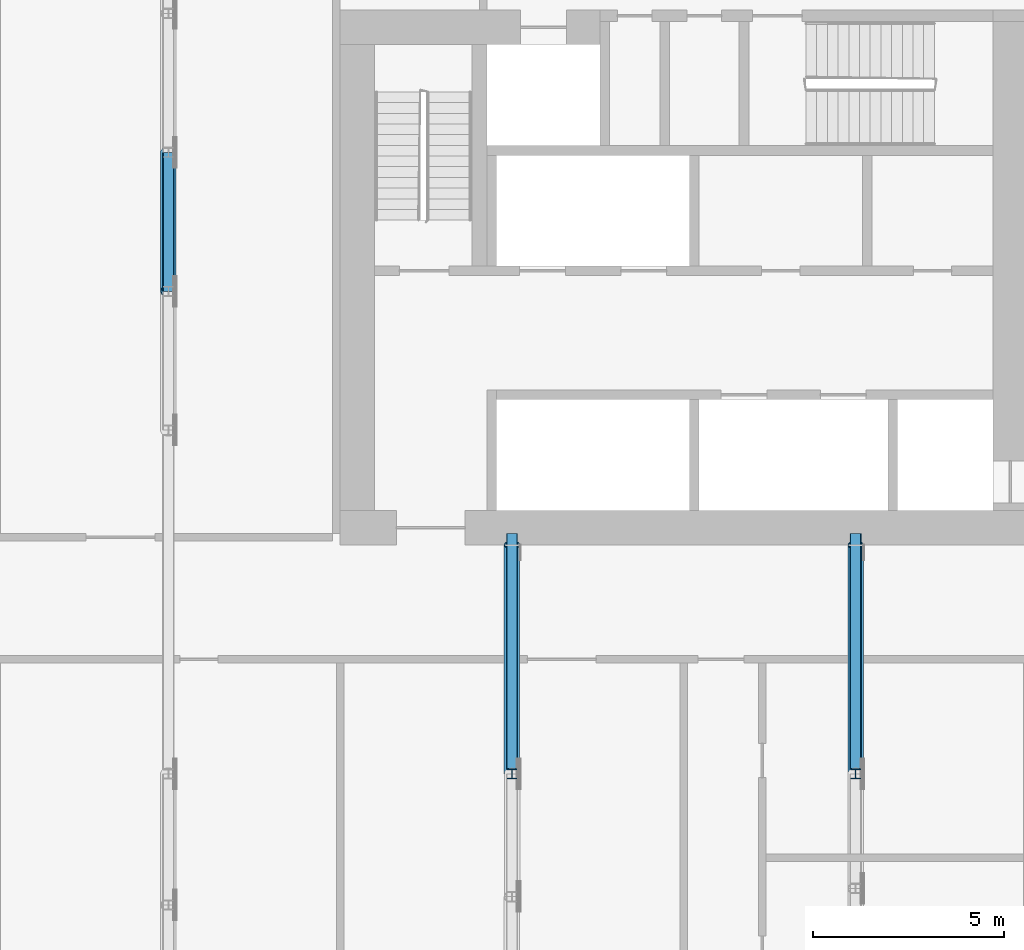
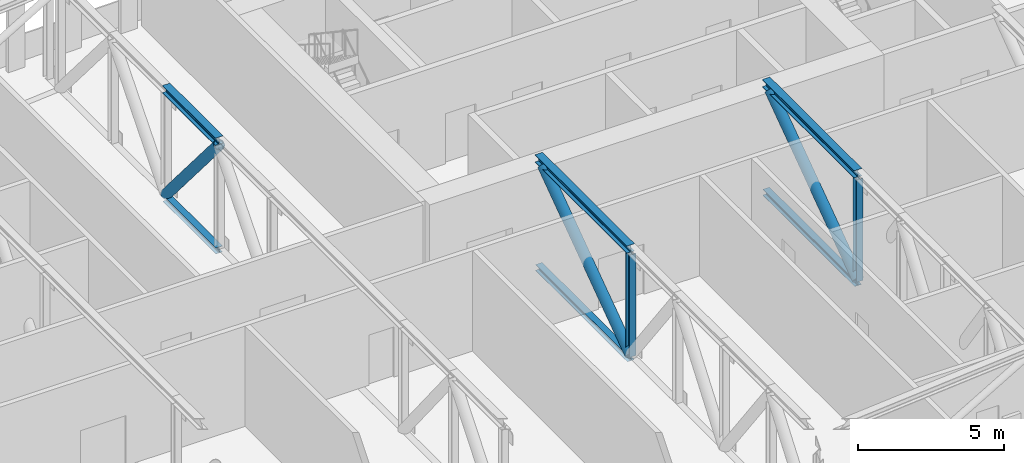
# One storey, part 5 of 26: 11 members.
"""IFC4 building model written with IfcOpenShell, lengths in metres."""

from ifc_helpers import new_model, si_unit, direction, frame, origin, origin_2d, place, context, subcontext, project, spatial, hollow_circle, i_section, extrude, material, material_profile, profile_set, type_object, element, save


model = new_model("IFC4")

# Units and contexts
model_context = context("Model", 3, precision=1e-05, world=origin(), true_north=direction((0.0, 1.0)))
body_context = subcontext(model_context, "Body", "Model", "MODEL_VIEW")
ifc_project = project(units=[si_unit("LENGTHUNIT", "METRE"), si_unit("AREAUNIT", "SQUARE_METRE"), si_unit("VOLUMEUNIT", "CUBIC_METRE"), si_unit("PLANEANGLEUNIT", "RADIAN"), si_unit("MASSUNIT", "GRAM", prefix="KILO")], contexts=[model_context])

# Site, building, storey
site_placement = place(None, origin())
site = spatial("IfcSite", under=ifc_project, at=site_placement, CompositionType="ELEMENT")
building_placement = place(site_placement, origin())
building = spatial("IfcBuilding", under=site, at=building_placement, Name="Kajstack Hotel Tower", CompositionType="ELEMENT")
storey_placement = place(building_placement, frame((0.0, 0.0, 257.300048828125)))
storey = spatial("IfcBuildingStorey", under=building, at=storey_placement, Name="L64", CompositionType="ELEMENT", Elevation=257.300048828125)

# Members
ifc_material = material(Name="Steel S355J2", Category="steel")
ifc_material_profile_1 = material_profile(ifc_material, i_section(OverallWidth=0.260009765625, OverallDepth=0.260009765625, WebThickness=0.010009765625, FlangeThickness=0.017578125, FilletRadius=0.02392578125, at=origin_2d()), Name="HEB 260")
ifc_profile_set_1 = profile_set([ifc_material_profile_1], Name="Steel S355J2")
member_type_1 = type_object("IfcMemberType", Name="Belt truss bottom chord BC5 HEB 260", PredefinedType="CHORD", material=ifc_profile_set_1)
member_1_placement = place(storey_placement, frame((9.0, 8.137939453125, -0.130126953125), z_axis=(0.0, 1.0, 0.0), x_axis=(-1.0, 0.0, 0.0)))
element("IfcMember", 1, at=member_1_placement, inside=storey, type_object=member_type_1, Name="S-belt-truss-L64-+9p0-1-bc18", PredefinedType="CHORD", context=body_context, shape_type="SweptSolid", body=[
    extrude(i_section(OverallWidth=0.260009765625, OverallDepth=0.260009765625, WebThickness=0.010009765625, FlangeThickness=0.017578125, FilletRadius=0.02392578125, at=origin_2d()), origin(), (0.0, 0.0, 1.0), 3.6376953125),
])
for number, where, z_axis, x_axis, name in (
    (2, (18.0, -4.5, -0.130126953125), (0.0, 1.0, 0.0), (-1.0, 0.0, 0.0), "S-outrigger-truss-L64-+18p0-1-bc12"),
    (3, (27.0, -4.5, -0.130126953125), (0.0, 1.0, 0.0), (-1.0, 0.0, 0.0), "S-outrigger-truss-L64-+27p0-1-bc12"),
):
    element("IfcMember", number, at=place(storey_placement, frame(where, z_axis=z_axis, x_axis=x_axis)), inside=storey, type_object=member_type_1, Name=name, PredefinedType="CHORD", context=body_context, shape_type="SweptSolid", body=[
        extrude(i_section(OverallWidth=0.260009765625, OverallDepth=0.260009765625, WebThickness=0.010009765625, FlangeThickness=0.017578125, FilletRadius=0.02392578125, at=origin_2d()), origin(), (0.0, 0.0, 1.0), 6.300048828125),
    ])
ifc_material_profile_2 = material_profile(ifc_material, hollow_circle(Radius=0.203125, WallThickness=0.01611328125, at=origin_2d()), Name="CHS 406.4x16")
ifc_profile_set_2 = profile_set([ifc_material_profile_2], Name="Steel S355J2")
member_type_2 = type_object("IfcMemberType", Name="Belt truss diagonal DG5 CHS 406.4x16", PredefinedType="BRACE", material=ifc_profile_set_2)
member_2_placement = place(storey_placement, frame((9.0, 11.775634765625, 0.0), z_axis=(0.0, -0.647614354735, 0.761968272004), x_axis=(1.0, 0.0, 0.0)))
element("IfcMember", 4, at=member_2_placement, inside=storey, type_object=member_type_2, Name="S-belt-truss-L64-+9p0-1-dg38", PredefinedType="BRACE", context=body_context, shape_type="SweptSolid", body=[
    extrude(hollow_circle(Radius=0.203125, WallThickness=0.01611328125, at=origin_2d()), origin(), (0.0, 0.0, 1.0), 5.6171875),
])
for number, where, z_axis, x_axis, name in (
    (5, (18.0, -4.5, 0.0), (0.0, 0.814098141674, 0.58072731615), (-1.0, 0.0, 0.0), "S-outrigger-truss-L64-+18p0-1-dg23"),
    (6, (27.0, -4.5, 0.0), (0.0, 0.814098141674, 0.58072731615), (-1.0, 0.0, 0.0), "S-outrigger-truss-L64-+27p0-1-dg23"),
):
    element("IfcMember", number, at=place(storey_placement, frame(where, z_axis=z_axis, x_axis=x_axis)), inside=storey, type_object=member_type_2, Name=name, PredefinedType="BRACE", context=body_context, shape_type="SweptSolid", body=[
        extrude(hollow_circle(Radius=0.203125, WallThickness=0.01611328125, at=origin_2d()), origin(), (0.0, 0.0, 1.0), 7.3701171875),
    ])
ifc_material_profile_3 = material_profile(ifc_material, i_section(OverallWidth=0.260009765625, OverallDepth=0.260009765625, WebThickness=0.010009765625, FlangeThickness=0.017578125, FilletRadius=0.02392578125, at=origin_2d()), Name="HEB 260")
ifc_profile_set_3 = profile_set([ifc_material_profile_3], Name="Steel S355J2")
member_type_3 = type_object("IfcMemberType", Name="Belt truss post PO5 HEB 260", PredefinedType="POST", material=ifc_profile_set_3)
for number, where, z_axis, x_axis, name in (
    (7, (18.0, -4.5, 0.0), (0.0, 0.0, 1.0), (1.0, 0.0, 0.0), "S-outrigger-truss-L64-+18p0-1-po18"),
    (8, (27.0, -4.5, 0.0), (0.0, 0.0, 1.0), (1.0, 0.0, 0.0), "S-outrigger-truss-L64-+27p0-1-po18"),
):
    element("IfcMember", number, at=place(storey_placement, frame(where, z_axis=z_axis, x_axis=x_axis)), inside=storey, type_object=member_type_3, Name=name, PredefinedType="POST", context=body_context, shape_type="SweptSolid", body=[
        extrude(i_section(OverallWidth=0.260009765625, OverallDepth=0.260009765625, WebThickness=0.010009765625, FlangeThickness=0.017578125, FilletRadius=0.02392578125, at=origin_2d()), origin(), (0.0, 0.0, 1.0), 4.280029296875),
    ])
ifc_material_profile_4 = material_profile(ifc_material, i_section(OverallWidth=0.300048828125, OverallDepth=0.320068359375, WebThickness=0.011474609375, FlangeThickness=0.0205078125, FilletRadius=0.027099609375, at=origin_2d()), Name="HEB 320")
ifc_profile_set_4 = profile_set([ifc_material_profile_4], Name="Steel S355J2")
member_type_4 = type_object("IfcMemberType", Name="Belt truss top chord TC5 HEB 320", PredefinedType="CHORD", material=ifc_profile_set_4)
member_3_placement = place(storey_placement, frame((9.0, 8.137939453125, 4.43994140625), z_axis=(0.0, 1.0, 0.0), x_axis=(-1.0, 0.0, 0.0)))
element("IfcMember", 9, at=member_3_placement, inside=storey, type_object=member_type_4, Name="S-belt-truss-L64-+9p0-1-tc8", PredefinedType="CHORD", context=body_context, shape_type="SweptSolid", body=[
    extrude(i_section(OverallWidth=0.300048828125, OverallDepth=0.320068359375, WebThickness=0.011474609375, FlangeThickness=0.0205078125, FilletRadius=0.027099609375, at=origin_2d()), origin(), (0.0, 0.0, 1.0), 3.6376953125),
])
for number, where, z_axis, x_axis, name in (
    (10, (18.0, -4.5, 4.43994140625), (0.0, 1.0, 0.0), (-1.0, 0.0, 0.0), "S-outrigger-truss-L64-+18p0-1-tc6"),
    (11, (27.0, -4.5, 4.43994140625), (0.0, 1.0, 0.0), (-1.0, 0.0, 0.0), "S-outrigger-truss-L64-+27p0-1-tc6"),
):
    element("IfcMember", number, at=place(storey_placement, frame(where, z_axis=z_axis, x_axis=x_axis)), inside=storey, type_object=member_type_4, Name=name, PredefinedType="CHORD", context=body_context, shape_type="SweptSolid", body=[
        extrude(i_section(OverallWidth=0.300048828125, OverallDepth=0.320068359375, WebThickness=0.011474609375, FlangeThickness=0.0205078125, FilletRadius=0.027099609375, at=origin_2d()), origin(), (0.0, 0.0, 1.0), 6.300048828125),
    ])

save(model, "model.ifc")
